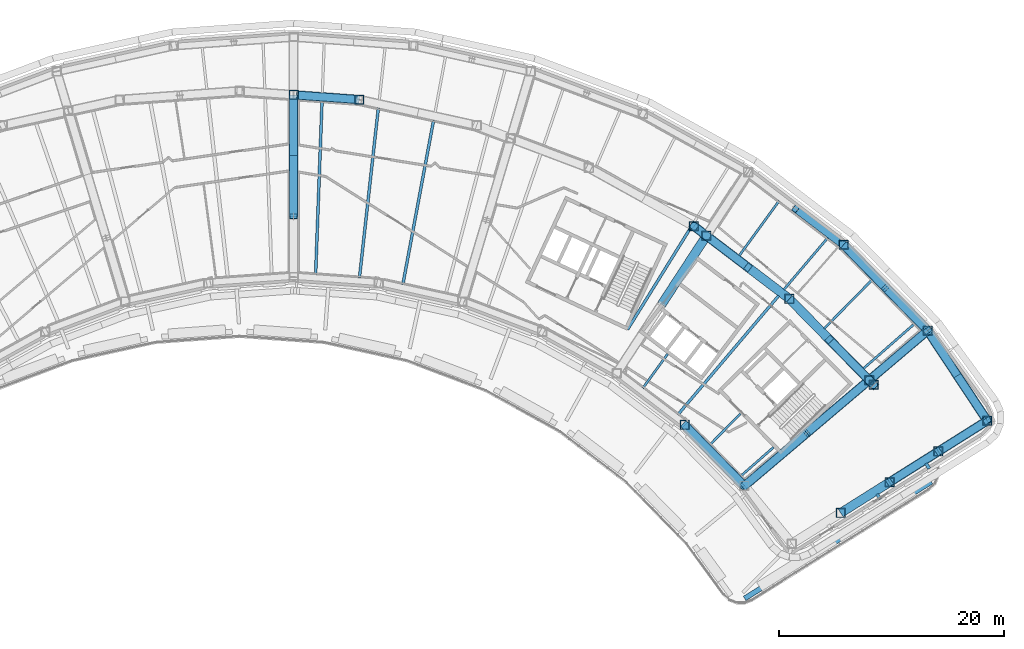
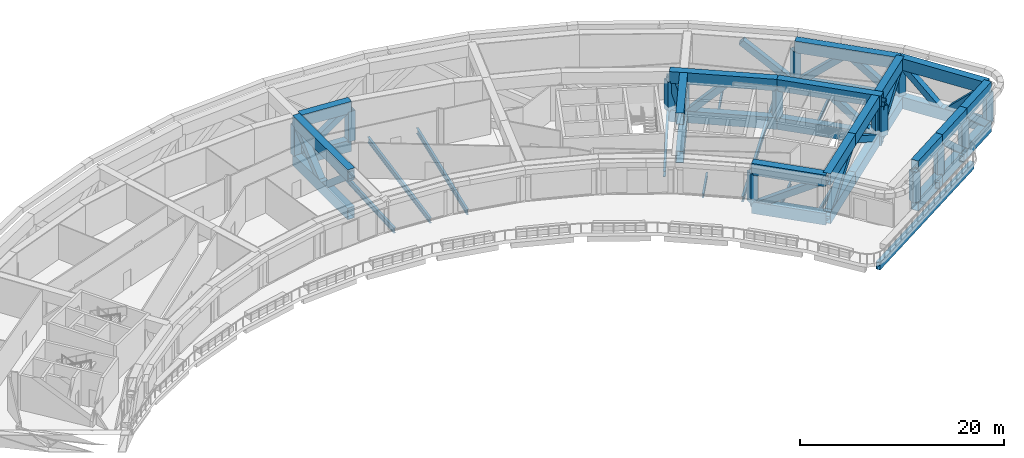
# One storey, part 4 of 25: 43 beams, 32 members.
"""IFC4 building model written with IfcOpenShell, lengths in metres."""

from ifc_helpers import new_model, si_unit, direction, frame, origin, origin_2d, place, context, subcontext, project, spatial, hollow_rectangle, i_section, extrude, material, material_profile, profile_set, type_object, element, save


model = new_model("IFC4")

# Units and contexts
model_context = context("Model", 3, precision=1e-05, world=origin(), true_north=direction((0.0, 1.0)))
body_context = subcontext(model_context, "Body", "Model", "MODEL_VIEW")
ifc_project = project(units=[si_unit("LENGTHUNIT", "METRE"), si_unit("AREAUNIT", "SQUARE_METRE"), si_unit("VOLUMEUNIT", "CUBIC_METRE"), si_unit("PLANEANGLEUNIT", "RADIAN"), si_unit("MASSUNIT", "GRAM", prefix="KILO")], contexts=[model_context])

# Site, building, storey
site_placement = place(None, origin())
site = spatial("IfcSite", under=ifc_project, at=site_placement, CompositionType="ELEMENT")
building_placement = place(site_placement, origin())
building = spatial("IfcBuilding", under=site, at=building_placement, Name="Tuul Gate Civic Tower", CompositionType="ELEMENT")
storey_placement = place(building_placement, frame((0.0, 0.0, 60.89990234375)))
storey = spatial("IfcBuildingStorey", under=building, at=storey_placement, Name="Plant and refuge floor 2", CompositionType="ELEMENT", Elevation=60.89990234375)

# Beams
ifc_material_1 = material(Name="Steel S355", Category="steel")
ifc_material_profile_1 = material_profile(ifc_material_1, i_section(OverallWidth=0.199951171875, OverallDepth=0.5, WebThickness=0.010009765625, FlangeThickness=0.01611328125, at=origin_2d()), Name="PG500x200x10x16")
ifc_profile_set_1 = profile_set([ifc_material_profile_1], Name="Steel S355")
beam_type_1 = type_object("IfcBeamType", Name="STR-FLOOR BEAM-PG500x200x10x16", PredefinedType="BEAM", material=ifc_profile_set_1)
beam_1_placement = place(storey_placement, frame((44.543212890625, -20.365234375, -0.64990234375), z_axis=(0.751988689781, 0.659176008697, 0.0), x_axis=(-0.659176008697, 0.751988689781, 0.0)))
element("IfcBeam", 1, at=beam_1_placement, inside=storey, type_object=beam_type_1, Name="Floor beam", PredefinedType="BEAM", context=body_context, shape_type="SweptSolid", body=[
    extrude(i_section(OverallWidth=0.199951171875, OverallDepth=0.5, WebThickness=0.010009765625, FlangeThickness=0.01611328125, at=origin_2d()), origin(), (0.0, 0.0, 1.0), 3.91162109375),
])
beam_2_placement = place(storey_placement, frame((55.46533203125, -10.7919921875, -0.64990234375), z_axis=(0.752039202902, 0.65911837882, 0.0), x_axis=(-0.65911837882, 0.752039202902, 0.0)))
element("IfcBeam", 2, at=beam_2_placement, inside=storey, type_object=beam_type_1, Name="Floor beam", PredefinedType="BEAM", context=body_context, shape_type="SweptSolid", body=[
    extrude(i_section(OverallWidth=0.199951171875, OverallDepth=0.5, WebThickness=0.010009765625, FlangeThickness=0.01611328125, at=origin_2d()), origin(), (0.0, 0.0, 1.0), 6.108642578125),
])
beam_3_placement = place(storey_placement, frame((41.80810546875, -17.574462890625, -0.64990234375), z_axis=(0.70120668438, 0.712958053311, 0.0), x_axis=(-0.712958053311, 0.70120668438, 0.0)))
element("IfcBeam", 3, at=beam_3_placement, inside=storey, type_object=beam_type_1, Name="Floor beam", PredefinedType="BEAM", context=body_context, shape_type="SweptSolid", body=[
    extrude(i_section(OverallWidth=0.199951171875, OverallDepth=0.5, WebThickness=0.010009765625, FlangeThickness=0.01611328125, at=origin_2d()), origin(), (0.0, 0.0, 1.0), 3.90576171875),
])
beam_4_placement = place(storey_placement, frame((51.978271484375, -7.234375, -0.64990234375), z_axis=(0.701219301227, 0.712945644202, 0.0), x_axis=(-0.712945644202, 0.701219301227, 0.0)))
element("IfcBeam", 4, at=beam_4_placement, inside=storey, type_object=beam_type_1, Name="Floor beam", PredefinedType="BEAM", context=body_context, shape_type="SweptSolid", body=[
    extrude(i_section(OverallWidth=0.199951171875, OverallDepth=0.5, WebThickness=0.010009765625, FlangeThickness=0.01611328125, at=origin_2d()), origin(), (0.0, 0.0, 1.0), 6.10009765625),
])
beam_5_placement = place(storey_placement, frame((48.39501953125, -3.76904296875, -0.64990234375), z_axis=(0.646588212564, 0.762839225115, 0.0), x_axis=(-0.762839225115, 0.646588212564, 0.0)))
element("IfcBeam", 5, at=beam_5_placement, inside=storey, type_object=beam_type_1, Name="Floor beam", PredefinedType="BEAM", context=body_context, shape_type="SweptSolid", body=[
    extrude(i_section(OverallWidth=0.199951171875, OverallDepth=0.5, WebThickness=0.010009765625, FlangeThickness=0.01611328125, at=origin_2d()), origin(), (0.0, 0.0, 1.0), 6.046142578125),
])
beam_6_placement = place(storey_placement, frame((35.85791015625, -12.525634765625, -0.64990234375), z_axis=(0.588407362307, 0.808564639335, 0.0), x_axis=(-0.808564639335, 0.588407362307, 0.0)))
element("IfcBeam", 6, at=beam_6_placement, inside=storey, type_object=beam_type_1, Name="Floor beam", PredefinedType="BEAM", context=body_context, shape_type="SweptSolid", body=[
    extrude(i_section(OverallWidth=0.199951171875, OverallDepth=0.5, WebThickness=0.010009765625, FlangeThickness=0.01611328125, at=origin_2d()), origin(), (0.0, 0.0, 1.0), 3.757080078125),
])
beam_7_placement = place(storey_placement, frame((44.427978515625, -0.7490234375, -0.64990234375), z_axis=(0.588438457855, 0.808542009618, 0.0), x_axis=(-0.808542009618, 0.588438457855, 0.0)))
element("IfcBeam", 7, at=beam_7_placement, inside=storey, type_object=beam_type_1, Name="Floor beam", PredefinedType="BEAM", context=body_context, shape_type="SweptSolid", body=[
    extrude(i_section(OverallWidth=0.199951171875, OverallDepth=0.5, WebThickness=0.010009765625, FlangeThickness=0.01611328125, at=origin_2d()), origin(), (0.0, 0.0, 1.0), 6.03955078125),
])
ifc_material_2 = material(Name="Steel S355", Category="steel")
ifc_material_profile_2 = material_profile(ifc_material_2, i_section(OverallWidth=0.25, OverallDepth=0.64990234375, WebThickness=0.011962890625, FlangeThickness=0.02001953125, at=origin_2d()), Name="PG650x250x12x20")
ifc_profile_set_2 = profile_set([ifc_material_profile_2], Name="Steel S355")
beam_type_2 = type_object("IfcBeamType", Name="STR-FLOOR BEAM-PG650x250x12x20", PredefinedType="BEAM", material=ifc_profile_set_2)
beam_8_placement = place(storey_placement, frame((38.966552734375, -14.892822265625, -0.724853515625), z_axis=(0.646583806891, 0.762842959374, 0.0), x_axis=(-0.762842959374, 0.646583806891, 0.0)))
element("IfcBeam", 8, at=beam_8_placement, inside=storey, type_object=beam_type_2, Name="Floor beam", PredefinedType="BEAM", context=body_context, shape_type="SweptSolid", body=[
    extrude(i_section(OverallWidth=0.25, OverallDepth=0.64990234375, WebThickness=0.011962890625, FlangeThickness=0.02001953125, at=origin_2d()), origin(), (0.0, 0.0, 1.0), 13.880859375),
])
beam_9_placement = place(storey_placement, frame((34.498779296875, -7.3134765625, -0.724853515625), z_axis=(0.527024486198, 0.849850099104, 0.0), x_axis=(-0.849850099104, 0.527024486198, 0.0)))
element("IfcBeam", 9, at=beam_9_placement, inside=storey, type_object=beam_type_2, Name="Floor beam", PredefinedType="BEAM", context=body_context, shape_type="SweptSolid", body=[
    extrude(i_section(OverallWidth=0.25, OverallDepth=0.64990234375, WebThickness=0.011962890625, FlangeThickness=0.02001953125, at=origin_2d()), origin(), (0.0, 0.0, 1.0), 10.56201171875),
])
beam_10_placement = place(storey_placement, frame((14.518798828125, -3.310791015625, -0.724853515625), z_axis=(0.183973451968, 0.982931212736, 0.0), x_axis=(-0.982931212736, 0.183973451968, 0.0)))
element("IfcBeam", 10, at=beam_10_placement, inside=storey, type_object=beam_type_2, Name="Floor beam", PredefinedType="BEAM", context=body_context, shape_type="SweptSolid", body=[
    extrude(i_section(OverallWidth=0.25, OverallDepth=0.64990234375, WebThickness=0.011962890625, FlangeThickness=0.02001953125, at=origin_2d()), origin(), (0.0, 0.0, 1.0), 14.87744140625),
])
beam_11_placement = place(storey_placement, frame((10.657470703125, -2.72216796875, -0.724853515625), z_axis=(0.110794409424, 0.993843347234, 0.0), x_axis=(-0.993843347234, 0.110794409424, 0.0)))
element("IfcBeam", 11, at=beam_11_placement, inside=storey, type_object=beam_type_2, Name="Floor beam", PredefinedType="BEAM", context=body_context, shape_type="SweptSolid", body=[
    extrude(i_section(OverallWidth=0.25, OverallDepth=0.64990234375, WebThickness=0.011962890625, FlangeThickness=0.02001953125, at=origin_2d()), origin(), (0.0, 0.0, 1.0), 15.211181640625),
])
beam_12_placement = place(storey_placement, frame((6.761474609375, -2.439697265625, -0.724853515625), z_axis=(0.037000567603, 0.999315244554, 0.0), x_axis=(-0.999315244554, 0.037000567603, 0.0)))
element("IfcBeam", 12, at=beam_12_placement, inside=storey, type_object=beam_type_2, Name="Floor beam", PredefinedType="BEAM", context=body_context, shape_type="SweptSolid", body=[
    extrude(i_section(OverallWidth=0.25, OverallDepth=0.64990234375, WebThickness=0.011962890625, FlangeThickness=0.02001953125, at=origin_2d()), origin(), (0.0, 0.0, 1.0), 15.46630859375),
])
ifc_material_3 = material(Name="Steel S355", Category="steel")
ifc_material_profile_3 = material_profile(ifc_material_3, i_section(OverallWidth=0.300048828125, OverallDepth=0.800048828125, WebThickness=0.013916015625, FlangeThickness=0.02490234375, at=origin_2d()), Name="PG800x300x14x25")
ifc_profile_set_3 = profile_set([ifc_material_profile_3], Name="Steel S355")
beam_type_3 = type_object("IfcBeamType", Name="STR-FLOOR BEAM-PG800x300x14x25", PredefinedType="BEAM", material=ifc_profile_set_3)
beam_13_placement = place(storey_placement, frame((61.32470703125, -19.679931640625, -0.7998046875), z_axis=(-0.53295287026, 0.846144927351, 0.0), x_axis=(-0.846144927351, -0.53295287026, 0.0)))
element("IfcBeam", 13, at=beam_13_placement, inside=storey, type_object=beam_type_3, Name="Terrace beam", PredefinedType="BEAM", context=body_context, shape_type="SweptSolid", body=[
    extrude(i_section(OverallWidth=0.300048828125, OverallDepth=0.800048828125, WebThickness=0.013916015625, FlangeThickness=0.02490234375, at=origin_2d()), origin(), (0.0, 0.0, 1.0), 0.556640625),
])
beam_14_placement = place(storey_placement, frame((56.981689453125, -22.4140625, -0.7998046875), z_axis=(-0.532720081835, 0.846291506757, 0.0), x_axis=(-0.846291506757, -0.532720081835, 0.0)))
element("IfcBeam", 14, at=beam_14_placement, inside=storey, type_object=beam_type_3, Name="Terrace beam", PredefinedType="BEAM", context=body_context, shape_type="SweptSolid", body=[
    extrude(i_section(OverallWidth=0.300048828125, OverallDepth=0.800048828125, WebThickness=0.013916015625, FlangeThickness=0.02490234375, at=origin_2d()), origin(), (0.0, 0.0, 1.0), 0.555908203125),
])
ifc_material_4 = material(Name="Steel S355", Category="steel")
ifc_material_profile_4 = material_profile(ifc_material_4, hollow_rectangle(XDim=0.449951171875, YDim=0.89990234375, WallThickness=0.02490234375, at=origin_2d()), Name="BOX900x450x25")
ifc_profile_set_4 = profile_set([ifc_material_profile_4], Name="Steel S355")
beam_type_4 = type_object("IfcBeamType", Name="STR-SPANDREL BEAM-BOX900x450x25", PredefinedType="BEAM", material=ifc_profile_set_4)
beam_15_placement = place(storey_placement, frame((44.90869140625, -31.230712890625, -0.849853515625), z_axis=(0.848047328891, 0.529920492113, 0.0), x_axis=(-0.529920492113, 0.848047328891, 0.0)))
element("IfcBeam", 15, at=beam_15_placement, inside=storey, type_object=beam_type_4, Name="Terrace edge beam", PredefinedType="BEAM", context=body_context, shape_type="SweptSolid", body=[
    extrude(hollow_rectangle(XDim=0.449951171875, YDim=0.89990234375, WallThickness=0.02490234375, at=origin_2d()), origin(), (0.0, 0.0, 1.0), 19.58251953125),
])
ifc_material_5 = material(Name="Steel S460", Category="steel")
ifc_material_profile_5 = material_profile(ifc_material_5, hollow_rectangle(XDim=0.800048828125, YDim=1.39990234375, WallThickness=0.0400390625, at=origin_2d()), Name="BOX1400x800x40")
ifc_profile_set_5 = profile_set([ifc_material_profile_5], Name="Steel S460")
beam_type_5 = type_object("IfcBeamType", Name="STR-TRANSFER TRUSS CHORD-BOX1400x800x40", PredefinedType="BEAM", material=ifc_profile_set_5)
beam_16_placement = place(storey_placement, frame((61.179931640625, -7.408935546875, -1.099853515625), z_axis=(-0.762820204762, -0.646610651944, 0.0), x_axis=(0.646610651944, -0.762820204762, 0.0)))
element("IfcBeam", 16, at=beam_16_placement, inside=storey, type_object=beam_type_5, Name="Radial truss bottom chord", PredefinedType="BEAM", context=body_context, shape_type="SweptSolid", body=[
    extrude(hollow_rectangle(XDim=0.800048828125, YDim=1.39990234375, WallThickness=0.0400390625, at=origin_2d()), origin(), (0.0, 0.0, 1.0), 6.416015625),
])
beam_17_placement = place(storey_placement, frame((55.673828125, -12.076171875, -1.099853515625), z_axis=(-0.762830521073, -0.646598481377, 0.0), x_axis=(0.646598481377, -0.762830521073, 0.0)))
element("IfcBeam", 17, at=beam_17_placement, inside=storey, type_object=beam_type_5, Name="Radial truss bottom chord", PredefinedType="BEAM", context=body_context, shape_type="SweptSolid", body=[
    extrude(hollow_rectangle(XDim=0.800048828125, YDim=1.39990234375, WallThickness=0.0400390625, at=origin_2d()), origin(), (0.0, 0.0, 1.0), 6.868408203125),
])
beam_18_placement = place(storey_placement, frame((50.434326171875, -16.517333984375, -1.099853515625), z_axis=(-0.762815299782, -0.646616438408, 0.0), x_axis=(0.646616438408, -0.762815299782, 0.0)))
element("IfcBeam", 18, at=beam_18_placement, inside=storey, type_object=beam_type_5, Name="Radial truss bottom chord", PredefinedType="BEAM", context=body_context, shape_type="SweptSolid", body=[
    extrude(hollow_rectangle(XDim=0.800048828125, YDim=1.39990234375, WallThickness=0.0400390625, at=origin_2d()), origin(), (0.0, 0.0, 1.0), 7.269775390625),
])
beam_19_placement = place(storey_placement, frame((61.179931640625, -7.408935546875, 3.5), z_axis=(-0.762820204762, -0.646610651944, 0.0), x_axis=(0.646610651944, -0.762820204762, 0.0)))
element("IfcBeam", 19, at=beam_19_placement, inside=storey, type_object=beam_type_5, Name="Radial truss top chord", PredefinedType="BEAM", context=body_context, shape_type="SweptSolid", body=[
    extrude(hollow_rectangle(XDim=0.800048828125, YDim=1.39990234375, WallThickness=0.0400390625, at=origin_2d()), origin(), (0.0, 0.0, 1.0), 6.416015625),
])
beam_20_placement = place(storey_placement, frame((55.673828125, -12.076171875, 3.5), z_axis=(-0.762830521073, -0.646598481377, 0.0), x_axis=(0.646598481377, -0.762830521073, 0.0)))
element("IfcBeam", 20, at=beam_20_placement, inside=storey, type_object=beam_type_5, Name="Radial truss top chord", PredefinedType="BEAM", context=body_context, shape_type="SweptSolid", body=[
    extrude(hollow_rectangle(XDim=0.800048828125, YDim=1.39990234375, WallThickness=0.0400390625, at=origin_2d()), origin(), (0.0, 0.0, 1.0), 6.868408203125),
])
beam_21_placement = place(storey_placement, frame((50.434326171875, -16.517333984375, 3.5), z_axis=(-0.762815299782, -0.646616438408, 0.0), x_axis=(0.646616438408, -0.762815299782, 0.0)))
element("IfcBeam", 21, at=beam_21_placement, inside=storey, type_object=beam_type_5, Name="Radial truss top chord", PredefinedType="BEAM", context=body_context, shape_type="SweptSolid", body=[
    extrude(hollow_rectangle(XDim=0.800048828125, YDim=1.39990234375, WallThickness=0.0400390625, at=origin_2d()), origin(), (0.0, 0.0, 1.0), 7.269775390625),
])
for number, where, z_axis, x_axis, name in (
    (22, (4.80810546875, 13.5498046875, -1.099853515625), (0.0, -1.0, 0.0), (1.0, 0.0, 0.0), "Radial truss bottom chord"),
    (23, (4.80810546875, 13.5498046875, 3.5), (0.0, -1.0, 0.0), (1.0, 0.0, 0.0), "Radial truss top chord"),
):
    element("IfcBeam", number, at=place(storey_placement, frame(where, z_axis=z_axis, x_axis=x_axis)), inside=storey, type_object=beam_type_5, Name=name, PredefinedType="BEAM", context=body_context, shape_type="SweptSolid", body=[
        extrude(hollow_rectangle(XDim=0.800048828125, YDim=1.39990234375, WallThickness=0.0400390625, at=origin_2d()), origin(), (0.0, 0.0, 1.0), 10.799072265625),
    ])
for number, where, z_axis, x_axis, name in (
    (24, (41.2978515625, 0.691162109375, -1.099853515625), (-0.546744850875, -0.837299270298, 0.0), (0.837299270298, -0.546744850875, 0.0), "Radial truss bottom chord"),
    (25, (41.2978515625, 0.691162109375, 3.5), (-0.546744850875, -0.837299270298, 0.0), (0.837299270298, -0.546744850875, 0.0), "Radial truss top chord"),
):
    element("IfcBeam", number, at=place(storey_placement, frame(where, z_axis=z_axis, x_axis=x_axis)), inside=storey, type_object=beam_type_5, Name=name, PredefinedType="BEAM", context=body_context, shape_type="SweptSolid", body=[
        extrude(hollow_rectangle(XDim=0.800048828125, YDim=1.39990234375, WallThickness=0.0400390625, at=origin_2d()), origin(), (0.0, 0.0, 1.0), 6.8984375),
    ])
for number, where, z_axis, x_axis, name in (
    (26, (48.89794921875, -4.592041015625, -1.099853515625), (-0.795657881015, 0.605746264023, 0.0), (-0.605746264023, -0.795657881015, 0.0), "Belt truss bottom chord"),
    (27, (48.89794921875, -4.592041015625, 3.5), (-0.795657881015, 0.605746264023, 0.0), (-0.605746264023, -0.795657881015, 0.0), "Belt truss top chord"),
):
    element("IfcBeam", number, at=place(storey_placement, frame(where, z_axis=z_axis, x_axis=x_axis)), inside=storey, type_object=beam_type_5, Name=name, PredefinedType="BEAM", context=body_context, shape_type="SweptSolid", body=[
        extrude(hollow_rectangle(XDim=0.800048828125, YDim=1.39990234375, WallThickness=0.0400390625, at=origin_2d()), origin(), (0.0, 0.0, 1.0), 10.677734375),
    ])
for number, where, z_axis, x_axis, name in (
    (28, (61.179931640625, -7.408935546875, -1.099853515625), (-0.699994363812, 0.71414836738, 0.0), (-0.71414836738, -0.699994363812, 0.0), "Belt truss bottom chord"),
    (29, (61.179931640625, -7.408935546875, 3.5), (-0.699994363812, 0.71414836738, 0.0), (-0.71414836738, -0.699994363812, 0.0), "Belt truss top chord"),
):
    element("IfcBeam", number, at=place(storey_placement, frame(where, z_axis=z_axis, x_axis=x_axis)), inside=storey, type_object=beam_type_5, Name=name, PredefinedType="BEAM", context=body_context, shape_type="SweptSolid", body=[
        extrude(hollow_rectangle(XDim=0.800048828125, YDim=1.39990234375, WallThickness=0.0400390625, at=origin_2d()), origin(), (0.0, 0.0, 1.0), 10.677001953125),
    ])
for number, where, z_axis, x_axis, name in (
    (30, (56.3720703125, -12.217041015625, -1.099853515625), (-0.700006025331, 0.714136936798, 0.0), (-0.714136936798, -0.700006025331, 0.0), "Belt truss bottom chord"),
    (31, (56.3720703125, -12.217041015625, 3.5), (-0.700006025331, 0.714136936798, 0.0), (-0.714136936798, -0.700006025331, 0.0), "Belt truss top chord"),
):
    element("IfcBeam", number, at=place(storey_placement, frame(where, z_axis=z_axis, x_axis=x_axis)), inside=storey, type_object=beam_type_5, Name=name, PredefinedType="BEAM", context=body_context, shape_type="SweptSolid", body=[
        extrude(hollow_rectangle(XDim=0.800048828125, YDim=1.39990234375, WallThickness=0.0400390625, at=origin_2d()), origin(), (0.0, 0.0, 1.0), 10.67724609375),
    ])
for number, where, z_axis, x_axis, name in (
    (32, (10.64892578125, 13.126953125, -1.099853515625), (-0.997387787456, 0.072232966389, 0.0), (-0.072232966389, -0.997387787456, 0.0), "Belt truss bottom chord"),
    (33, (10.64892578125, 13.126953125, 3.5), (-0.997387787456, 0.072232966389, 0.0), (-0.072232966389, -0.997387787456, 0.0), "Belt truss top chord"),
):
    element("IfcBeam", number, at=place(storey_placement, frame(where, z_axis=z_axis, x_axis=x_axis)), inside=storey, type_object=beam_type_5, Name=name, PredefinedType="BEAM", context=body_context, shape_type="SweptSolid", body=[
        extrude(hollow_rectangle(XDim=0.800048828125, YDim=1.39990234375, WallThickness=0.0400390625, at=origin_2d()), origin(), (0.0, 0.0, 1.0), 5.455078125),
    ])
for number, where, z_axis, x_axis, name in (
    (34, (66.47900390625, -15.4208984375, -1.099853515625), (-0.551652439402, 0.834074089097, 0.0), (-0.834074089097, -0.551652439402, 0.0), "Belt truss bottom chord"),
    (35, (66.47900390625, -15.4208984375, 3.5), (-0.551652439402, 0.834074089097, 0.0), (-0.834074089097, -0.551652439402, 0.0), "Belt truss top chord"),
):
    element("IfcBeam", number, at=place(storey_placement, frame(where, z_axis=z_axis, x_axis=x_axis)), inside=storey, type_object=beam_type_5, Name=name, PredefinedType="BEAM", context=body_context, shape_type="SweptSolid", body=[
        extrude(hollow_rectangle(XDim=0.800048828125, YDim=1.39990234375, WallThickness=0.0400390625, at=origin_2d()), origin(), (0.0, 0.0, 1.0), 9.605712890625),
    ])
for number, where, z_axis, x_axis, name in (
    (36, (39.574951171875, -15.7958984375, -1.099853515625), (0.699947938495, -0.714193869615, 0.0), (0.714193869615, 0.699947938495, 0.0), "Belt truss bottom chord"),
    (37, (39.574951171875, -15.7958984375, 3.5), (0.699947938495, -0.714193869615, 0.0), (0.714193869615, 0.699947938495, 0.0), "Belt truss top chord"),
):
    element("IfcBeam", number, at=place(storey_placement, frame(where, z_axis=z_axis, x_axis=x_axis)), inside=storey, type_object=beam_type_5, Name=name, PredefinedType="BEAM", context=body_context, shape_type="SweptSolid", body=[
        extrude(hollow_rectangle(XDim=0.800048828125, YDim=1.39990234375, WallThickness=0.0400390625, at=origin_2d()), origin(), (0.0, 0.0, 1.0), 7.592041015625),
    ])
for number, where, z_axis, x_axis, name in (
    (38, (57.7939453125, -20.89111328125, -1.099853515625), (0.846178819959, 0.53289905672, 0.0), (-0.53289905672, 0.846178819959, 0.0), "Belt truss bottom chord"),
    (39, (57.7939453125, -20.89111328125, 3.5), (0.846178819959, 0.53289905672, 0.0), (-0.53289905672, 0.846178819959, 0.0), "Belt truss top chord"),
):
    element("IfcBeam", number, at=place(storey_placement, frame(where, z_axis=z_axis, x_axis=x_axis)), inside=storey, type_object=beam_type_5, Name=name, PredefinedType="BEAM", context=body_context, shape_type="SweptSolid", body=[
        extrude(hollow_rectangle(XDim=0.800048828125, YDim=1.39990234375, WallThickness=0.0400390625, at=origin_2d()), origin(), (0.0, 0.0, 1.0), 5.132568359375),
    ])
for number, where, z_axis, x_axis, name in (
    (40, (62.136962890625, -18.156005859375, -1.099853515625), (0.846124773729, 0.532984865903, 0.0), (-0.532984865903, 0.846124773729, 0.0), "Belt truss bottom chord"),
    (41, (62.136962890625, -18.156005859375, 3.5), (0.846124773729, 0.532984865903, 0.0), (-0.532984865903, 0.846124773729, 0.0), "Belt truss top chord"),
):
    element("IfcBeam", number, at=place(storey_placement, frame(where, z_axis=z_axis, x_axis=x_axis)), inside=storey, type_object=beam_type_5, Name=name, PredefinedType="BEAM", context=body_context, shape_type="SweptSolid", body=[
        extrude(hollow_rectangle(XDim=0.800048828125, YDim=1.39990234375, WallThickness=0.0400390625, at=origin_2d()), origin(), (0.0, 0.0, 1.0), 5.131591796875),
    ])
for number, where, z_axis, x_axis, name in (
    (42, (53.451904296875, -23.625, -1.099853515625), (0.84623204551, 0.532814531663, 0.0), (-0.532814531663, 0.84623204551, 0.0), "Belt truss bottom chord"),
    (43, (53.451904296875, -23.625, 3.5), (0.84623204551, 0.532814531663, 0.0), (-0.532814531663, 0.84623204551, 0.0), "Belt truss top chord"),
):
    element("IfcBeam", number, at=place(storey_placement, frame(where, z_axis=z_axis, x_axis=x_axis)), inside=storey, type_object=beam_type_5, Name=name, PredefinedType="BEAM", context=body_context, shape_type="SweptSolid", body=[
        extrude(hollow_rectangle(XDim=0.800048828125, YDim=1.39990234375, WallThickness=0.0400390625, at=origin_2d()), origin(), (0.0, 0.0, 1.0), 5.131103515625),
    ])

# Members
ifc_material_6 = material(Name="Steel S355", Category="steel")
ifc_material_profile_6 = material_profile(ifc_material_6, hollow_rectangle(XDim=0.699951171875, YDim=0.699951171875, WallThickness=0.031982421875, at=origin_2d()), Name="BOX700x700x32")
ifc_profile_set_6 = profile_set([ifc_material_profile_6], Name="Steel S355")
member_type_1 = type_object("IfcMemberType", Name="STR-TRANSFER TRUSS DIAGONAL-BOX700x700x32", PredefinedType="BRACE", material=ifc_profile_set_6)
member_1_placement = place(storey_placement, frame((55.9765625, -11.819580078125, -1.102783203125), z_axis=(0.632325203671, 0.535990936263, 0.559355480036), x_axis=(-0.646607434347, 0.762822932172, 0.0)))
element("IfcMember", 44, at=member_1_placement, inside=storey, type_object=member_type_1, Name="Radial truss web", PredefinedType="BRACE", context=body_context, shape_type="SweptSolid", body=[
    extrude(hollow_rectangle(XDim=0.699951171875, YDim=0.699951171875, WallThickness=0.031982421875, at=origin_2d()), origin(), (0.0, 0.0, 1.0), 8.23388671875),
])
for number, where, z_axis, x_axis, name in (
    (45, (55.983154296875, -11.814208984375, -1.1025390625), (-0.644624590729, -0.546404450591, 0.534697403585), (0.646599122607, -0.762829977547, 0.0), "Radial truss web"),
    (46, (44.8857421875, -21.220703125, -1.1025390625), (0.644624590729, 0.546404450591, 0.534697403585), (-0.646599122607, 0.762829977547, 0.0), "Radial truss web"),
):
    element("IfcMember", number, at=place(storey_placement, frame(where, z_axis=z_axis, x_axis=x_axis)), inside=storey, type_object=member_type_1, Name=name, PredefinedType="BRACE", context=body_context, shape_type="SweptSolid", body=[
        extrude(hollow_rectangle(XDim=0.699951171875, YDim=0.699951171875, WallThickness=0.031982421875, at=origin_2d()), origin(), (0.0, 0.0, 1.0), 8.61279296875),
    ])
for number, where, z_axis, x_axis, name in (
    (47, (4.80810546875, 8.146484375, -1.10302734375), (0.0, 0.761223121854, 0.648490060644), (-1.0, 0.0, 0.0), "Radial truss web"),
    (48, (4.80810546875, 8.154052734375, -1.10302734375), (0.0, -0.761223121854, 0.648490060644), (1.0, 0.0, 0.0), "Radial truss web"),
):
    element("IfcMember", number, at=place(storey_placement, frame(where, z_axis=z_axis, x_axis=x_axis)), inside=storey, type_object=member_type_1, Name=name, PredefinedType="BRACE", context=body_context, shape_type="SweptSolid", body=[
        extrude(hollow_rectangle(XDim=0.699951171875, YDim=0.699951171875, WallThickness=0.031982421875, at=origin_2d()), origin(), (0.0, 0.0, 1.0), 7.103271484375),
    ])
member_2_placement = place(storey_placement, frame((41.514404296875, 1.029296875, -1.103515625), z_axis=(0.564922417474, -0.43010078498, 0.704184618545), x_axis=(0.605761319815, 0.795646418591, 0.0)))
element("IfcMember", 49, at=member_2_placement, inside=storey, type_object=member_type_1, Name="Belt truss web", PredefinedType="BRACE", context=body_context, shape_type="SweptSolid", body=[
    extrude(hollow_rectangle(XDim=0.699951171875, YDim=0.699951171875, WallThickness=0.031982421875, at=origin_2d()), origin(), (0.0, 0.0, 1.0), 6.54248046875),
])
member_3_placement = place(storey_placement, frame((41.518310546875, 1.026123046875, -1.104736328125), z_axis=(-0.23188842238, 0.17656350273, 0.956584073184), x_axis=(-0.605797031203, -0.795619228642, 0.0)))
element("IfcMember", 50, at=member_3_placement, inside=storey, type_object=member_type_1, Name="Belt truss web", PredefinedType="BRACE", context=body_context, shape_type="SweptSolid", body=[
    extrude(hollow_rectangle(XDim=0.699951171875, YDim=0.699951171875, WallThickness=0.031982421875, at=origin_2d()), origin(), (0.0, 0.0, 1.0), 4.81884765625),
])
for number, where, z_axis, x_axis, name in (
    (51, (61.1826171875, -7.41162109375, -1.103271484375), (-0.530277845395, 0.541002410379, 0.652780053807), (-0.714149827828, -0.69999287383, 0.0), "Belt truss web"),
    (52, (53.703369140625, 0.21875, -1.103271484375), (0.530277845395, -0.541002410379, 0.652780053807), (0.714149827828, 0.69999287383, 0.0), "Belt truss web"),
):
    element("IfcMember", number, at=place(storey_placement, frame(where, z_axis=z_axis, x_axis=x_axis)), inside=storey, type_object=member_type_1, Name=name, PredefinedType="BRACE", context=body_context, shape_type="SweptSolid", body=[
        extrude(hollow_rectangle(XDim=0.699951171875, YDim=0.699951171875, WallThickness=0.031982421875, at=origin_2d()), origin(), (0.0, 0.0, 1.0), 7.05712890625),
    ])
member_4_placement = place(storey_placement, frame((55.9794921875, -11.81640625, -1.10498046875), z_axis=(0.084583985282, -0.086371341093, 0.992665875747), x_axis=(0.714460609017, 0.699675666408, 0.0)))
element("IfcMember", 53, at=member_4_placement, inside=storey, type_object=member_type_1, Name="Belt truss web", PredefinedType="BRACE", context=body_context, shape_type="SweptSolid", body=[
    extrude(hollow_rectangle(XDim=0.699951171875, YDim=0.699951171875, WallThickness=0.031982421875, at=origin_2d()), origin(), (0.0, 0.0, 1.0), 4.644287109375),
])
member_5_placement = place(storey_placement, frame((55.982421875, -11.819580078125, -1.103271484375), z_axis=(-0.517895941401, 0.528342998946, 0.672783374754), x_axis=(-0.714131885738, -0.70001117832, 0.0)))
element("IfcMember", 54, at=member_5_placement, inside=storey, type_object=member_type_1, Name="Belt truss web", PredefinedType="BRACE", context=body_context, shape_type="SweptSolid", body=[
    extrude(hollow_rectangle(XDim=0.699951171875, YDim=0.699951171875, WallThickness=0.031982421875, at=origin_2d()), origin(), (0.0, 0.0, 1.0), 6.84716796875),
])
member_6_placement = place(storey_placement, frame((53.708984375, 0.213623046875, -1.103271484375), z_axis=(-0.602713983496, 0.458937188903, 0.652772939651), x_axis=(-0.605814791129, -0.795605705642, 0.0)))
element("IfcMember", 55, at=member_6_placement, inside=storey, type_object=member_type_1, Name="Belt truss web", PredefinedType="BRACE", context=body_context, shape_type="SweptSolid", body=[
    extrude(hollow_rectangle(XDim=0.699951171875, YDim=0.699951171875, WallThickness=0.031982421875, at=origin_2d()), origin(), (0.0, 0.0, 1.0), 7.05712890625),
])
member_7_placement = place(storey_placement, frame((4.80419921875, 13.55029296875, -1.10302734375), z_axis=(0.784341460468, -0.05680549482, 0.617722922635), x_axis=(0.072235244821, 0.997387622445, 0.0)))
element("IfcMember", 56, at=member_7_placement, inside=storey, type_object=member_type_1, Name="Belt truss web", PredefinedType="BRACE", context=body_context, shape_type="SweptSolid", body=[
    extrude(hollow_rectangle(XDim=0.699951171875, YDim=0.699951171875, WallThickness=0.031982421875, at=origin_2d()), origin(), (0.0, 0.0, 1.0), 7.456787109375),
])
for number, where, z_axis, x_axis, name in (
    (57, (63.827392578125, -11.412109375, -1.103271484375), (0.398408456262, -0.602359569579, 0.691688984237), (0.834067180508, 0.55166288474, 0.0), "Belt truss web"),
    (58, (63.83154296875, -11.41796875, -1.103271484375), (-0.398408456262, 0.602359569579, 0.691688984237), (-0.834067180508, -0.55166288474, 0.0), "Belt truss web"),
):
    element("IfcMember", number, at=place(storey_placement, frame(where, z_axis=z_axis, x_axis=x_axis)), inside=storey, type_object=member_type_1, Name=name, PredefinedType="BRACE", context=body_context, shape_type="SweptSolid", body=[
        extrude(hollow_rectangle(XDim=0.699951171875, YDim=0.699951171875, WallThickness=0.031982421875, at=origin_2d()), origin(), (0.0, 0.0, 1.0), 6.660400390625),
    ])
member_8_placement = place(storey_placement, frame((39.572021484375, -15.79296875, -1.1025390625), z_axis=(0.598652323726, -0.610795149988, 0.518212967851), x_axis=(0.714170124168, 0.699972166408, 0.0)))
element("IfcMember", 59, at=member_8_placement, inside=storey, type_object=member_type_1, Name="Belt truss web", PredefinedType="BRACE", context=body_context, shape_type="SweptSolid", body=[
    extrude(hollow_rectangle(XDim=0.699951171875, YDim=0.699951171875, WallThickness=0.031982421875, at=origin_2d()), origin(), (0.0, 0.0, 1.0), 8.88671875),
])
member_9_placement = place(storey_placement, frame((62.14013671875, -18.154052734375, -1.103271484375), z_axis=(-0.630139249126, -0.396830324779, 0.667420572088), x_axis=(0.532886335228, -0.846186831455, 0.0)))
element("IfcMember", 60, at=member_9_placement, inside=storey, type_object=member_type_1, Name="Belt truss web", PredefinedType="BRACE", context=body_context, shape_type="SweptSolid", body=[
    extrude(hollow_rectangle(XDim=0.699951171875, YDim=0.699951171875, WallThickness=0.031982421875, at=origin_2d()), origin(), (0.0, 0.0, 1.0), 6.90234375),
])
member_10_placement = place(storey_placement, frame((66.482177734375, -15.4189453125, -1.103271484375), z_axis=(-0.630053932882, -0.39686570507, 0.667480077455), x_axis=(0.532972018739, -0.846132866187, 0.0)))
element("IfcMember", 61, at=member_10_placement, inside=storey, type_object=member_type_1, Name="Belt truss web", PredefinedType="BRACE", context=body_context, shape_type="SweptSolid", body=[
    extrude(hollow_rectangle(XDim=0.699951171875, YDim=0.699951171875, WallThickness=0.031982421875, at=origin_2d()), origin(), (0.0, 0.0, 1.0), 6.901611328125),
])
ifc_material_7 = material(Name="Steel S355", Category="steel")
ifc_material_profile_7 = material_profile(ifc_material_7, hollow_rectangle(XDim=0.800048828125, YDim=0.800048828125, WallThickness=0.034912109375, at=origin_2d()), Name="BOX800x800x35")
ifc_profile_set_7 = profile_set([ifc_material_profile_7], Name="Steel S355")
member_type_2 = type_object("IfcMemberType", Name="STR-TRUSS POST-BOX800x800x35", PredefinedType="POST", material=ifc_profile_set_7)
for number, where, z_axis, x_axis, name in (
    (62, (61.179931640625, -7.408935546875, -0.594970703125), (0.0, 0.0, 1.0), (1.0, 0.0, 0.0), "Radial truss post"),
    (63, (55.979736328125, -11.81689453125, -0.594970703125), (0.0, 0.0, 1.0), (1.0, 0.0, 0.0), "Radial truss post"),
    (64, (4.80810546875, 13.5498046875, -0.594970703125), (0.0, 0.0, 1.0), (1.0, 0.0, 0.0), "Radial truss post"),
    (65, (41.51708984375, 1.027099609375, -0.594970703125), (0.0, 0.0, 1.0), (1.0, 0.0, 0.0), "Radial truss post"),
    (66, (10.64892578125, 13.126953125, -0.594970703125), (0.0, 0.0, 1.0), (1.0, 0.0, 0.0), "Belt truss post"),
    (67, (48.89794921875, -4.592041015625, -0.594970703125), (0.0, 0.0, 1.0), (1.0, 0.0, 0.0), "Belt truss post"),
    (68, (40.402099609375, 1.8759765625, -0.594970703125), (0.0, 0.0, 1.0), (1.0, 0.0, 0.0), "Belt truss post"),
    (69, (53.7060546875, 0.216064453125, -0.594970703125), (0.0, 0.0, 1.0), (1.0, 0.0, 0.0), "Belt truss post"),
    (70, (56.3720703125, -12.217041015625, -0.594970703125), (0.0, 0.0, 1.0), (1.0, 0.0, 0.0), "Belt truss post"),
    (71, (66.47900390625, -15.4208984375, -0.594970703125), (0.0, 0.0, 1.0), (1.0, 0.0, 0.0), "Belt truss post"),
    (72, (39.574951171875, -15.7958984375, -0.594970703125), (0.0, 0.0, 1.0), (1.0, 0.0, 0.0), "Belt truss post"),
    (73, (57.7939453125, -20.89111328125, -0.594970703125), (0.0, 0.0, 1.0), (1.0, 0.0, 0.0), "Belt truss post"),
    (74, (62.136962890625, -18.156005859375, -0.594970703125), (0.0, 0.0, 1.0), (1.0, 0.0, 0.0), "Belt truss post"),
    (75, (53.451904296875, -23.625, -0.594970703125), (0.0, 0.0, 1.0), (1.0, 0.0, 0.0), "Belt truss post"),
):
    element("IfcMember", number, at=place(storey_placement, frame(where, z_axis=z_axis, x_axis=x_axis)), inside=storey, type_object=member_type_2, Name=name, PredefinedType="POST", context=body_context, shape_type="SweptSolid", body=[
        extrude(hollow_rectangle(XDim=0.800048828125, YDim=0.800048828125, WallThickness=0.034912109375, at=origin_2d()), origin(), (0.0, 0.0, 1.0), 3.590087890625),
    ])

save(model, "model.ifc")
